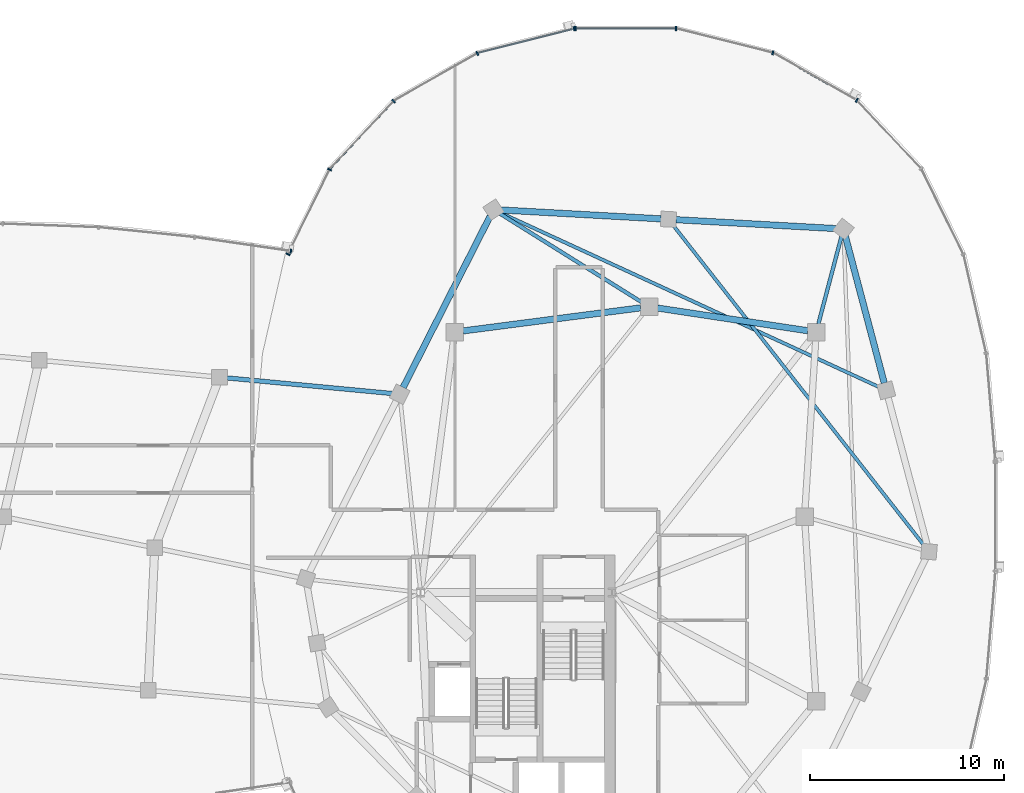
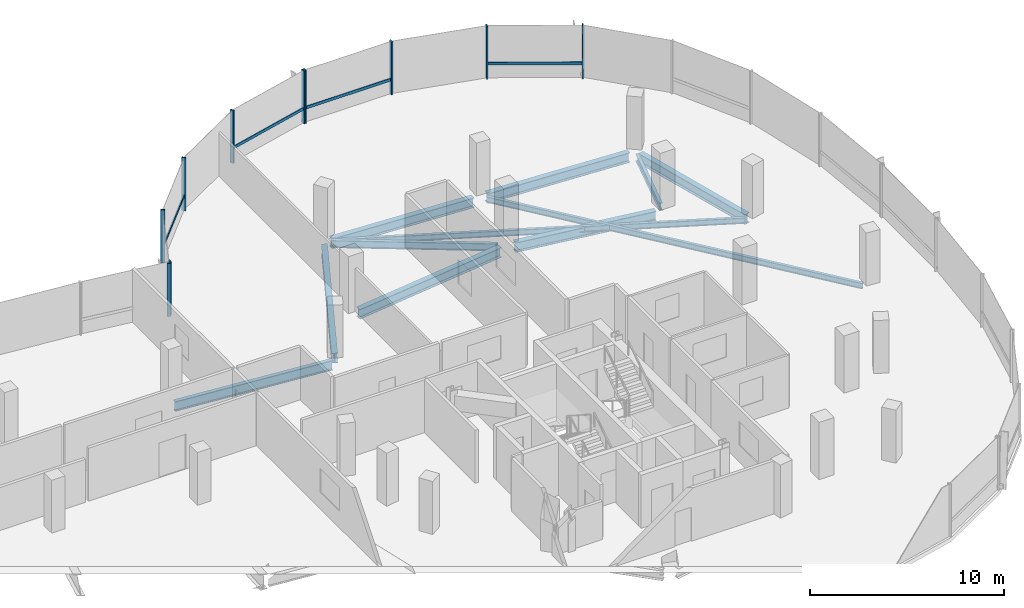
# One storey, part 10 of 25: 14 members, 11 beams, 3 elements without a shape of their own.
"""IFC4 building model written with IfcOpenShell, lengths in metres."""

from ifc_helpers import new_model, si_unit, direction, frame, origin, origin_2d, place, context, subcontext, project, spatial, rectangle, i_section, extrude, material, material_profile, profile_set, type_object, element, aggregate, save


model = new_model("IFC4")

# Units and contexts
model_context = context("Model", 3, precision=1e-05, world=origin(), true_north=direction((0.0, 1.0)))
body_context = subcontext(model_context, "Body", "Model", "MODEL_VIEW")
ifc_project = project(units=[si_unit("LENGTHUNIT", "METRE"), si_unit("AREAUNIT", "SQUARE_METRE"), si_unit("VOLUMEUNIT", "CUBIC_METRE"), si_unit("PLANEANGLEUNIT", "RADIAN"), si_unit("MASSUNIT", "GRAM", prefix="KILO"), si_unit("THERMODYNAMICTEMPERATUREUNIT", "KELVIN"), si_unit("POWERUNIT", "WATT")], contexts=[model_context])

# Site, building, storey
site_placement = place(None, origin())
site = spatial("IfcSite", under=ifc_project, at=site_placement, CompositionType="ELEMENT")
building_placement = place(site_placement, origin())
building = spatial("IfcBuilding", under=site, at=building_placement, Name="Cundina Bronze Exchange", CompositionType="ELEMENT")
storey_placement = place(building_placement, frame((0.0, 0.0, 272.0)))
storey = spatial("IfcBuildingStorey", under=building, at=storey_placement, Name="L72", CompositionType="ELEMENT", Elevation=272.0)

# Beams
ifc_material_1 = material(Name="Steel ASTM A992 Grade 50", Category="steel")
ifc_material_profile_1 = material_profile(ifc_material_1, i_section(OverallWidth=0.19091796875, OverallDepth=0.4599609375, WebThickness=0.010009765625, FlangeThickness=0.01611328125, FilletRadius=0.011962890625, at=origin_2d()), Name="W18X55", Category="steel")
ifc_profile_set_1 = profile_set([ifc_material_profile_1], Name="Steel ASTM A992 Grade 50")
beam_type_1 = type_object("IfcBeamType", Name="BM-FLR-W18B", PredefinedType="BEAM", material=ifc_profile_set_1)
beam_1_placement = place(storey_placement, frame((41.911865234375, 9.923583984375, -0.489990234375), z_axis=(0.255383723615, 0.96683977665, 0.0), x_axis=(-0.96683977665, 0.255383723615, 0.0)))
element("IfcBeam", 1, at=beam_1_placement, inside=storey, type_object=beam_type_1, Name="L72 Leg E Chordal Floor Beam 10", PredefinedType="BEAM", context=body_context, shape_type="SweptSolid", body=[
    extrude(i_section(OverallWidth=0.19091796875, OverallDepth=0.4599609375, WebThickness=0.010009765625, FlangeThickness=0.01611328125, FilletRadius=0.011962890625, at=origin_2d()), origin(), (0.0, 0.0, 1.0), 4.655517578125),
])
beam_2_placement = place(storey_placement, frame((32.82861328125, 11.031982421875, -0.489990234375), z_axis=(-0.847983963552, 0.530021884038, 0.0), x_axis=(-0.530021884038, -0.847983963552, 0.0)))
element("IfcBeam", 2, at=beam_2_placement, inside=storey, type_object=beam_type_1, Name="L72 Leg E Chordal Floor Beam 12", PredefinedType="BEAM", context=body_context, shape_type="SweptSolid", body=[
    extrude(i_section(OverallWidth=0.19091796875, OverallDepth=0.4599609375, WebThickness=0.010009765625, FlangeThickness=0.01611328125, FilletRadius=0.011962890625, at=origin_2d()), origin(), (0.0, 0.0, 1.0), 8.608154296875),
])
ifc_material_profile_2 = material_profile(ifc_material_1, i_section(OverallWidth=0.22998046875, OverallDepth=0.616943359375, WebThickness=0.01318359375, FlangeThickness=0.022216796875, FilletRadius=0.013916015625, at=origin_2d()), Name="W24X94", Category="steel")
ifc_profile_set_2 = profile_set([ifc_material_profile_2], Name="Steel ASTM A992 Grade 50")
beam_type_2 = type_object("IfcBeamType", Name="BM-FLR-W24B", PredefinedType="BEAM", material=ifc_profile_set_2)
beam_3_placement = place(storey_placement, frame((11.285400390625, 7.158203125, -0.62841796875), z_axis=(0.995572136276, -0.094000646124, 0.0), x_axis=(0.094000646124, 0.995572136276, 0.0)))
element("IfcBeam", 3, at=beam_3_placement, inside=storey, type_object=beam_type_2, Name="L72 Sky-Gate Longitudinal Girder Y3-P4", PredefinedType="BEAM", context=body_context, shape_type="SweptSolid", body=[
    extrude(i_section(OverallWidth=0.22998046875, OverallDepth=0.616943359375, WebThickness=0.01318359375, FlangeThickness=0.022216796875, FilletRadius=0.013916015625, at=origin_2d()), origin(), (0.0, 0.0, 1.0), 8.949951171875),
])
ifc_material_profile_3 = material_profile(ifc_material_1, i_section(OverallWidth=0.172119140625, OverallDepth=0.35791015625, WebThickness=0.0078125, FlangeThickness=0.01318359375, FilletRadius=0.010009765625, at=origin_2d()), Name="W14X38", Category="steel")
ifc_profile_set_3 = profile_set([ifc_material_profile_3], Name="Steel ASTM A992 Grade 50")
beam_type_3 = type_object("IfcBeamType", Name="BM-JST-W14", PredefinedType="JOIST", material=ifc_profile_set_3)
beam_4_placement = place(storey_placement, frame((47.360595703125, -1.49462890625, -0.43896484375), z_axis=(-0.616804005008, 0.78711677622, 0.0), x_axis=(-0.78711677622, -0.616804005008, 0.0)))
element("IfcBeam", 4, at=beam_4_placement, inside=storey, type_object=beam_type_3, Name="L72 Leg E Lobe Floor Joist 08-11", PredefinedType="JOIST", context=body_context, shape_type="SweptSolid", body=[
    extrude(i_section(OverallWidth=0.172119140625, OverallDepth=0.35791015625, WebThickness=0.0078125, FlangeThickness=0.01318359375, FilletRadius=0.010009765625, at=origin_2d()), origin(), (0.0, 0.0, 1.0), 20.948974609375),
])
beam_5_placement = place(storey_placement, frame((45.047607421875, 6.662353515625, -0.43896484375), z_axis=(-0.908356175703, 0.418197391266, 0.0), x_axis=(-0.418197391266, -0.908356175703, 0.0)))
element("IfcBeam", 5, at=beam_5_placement, inside=storey, type_object=beam_type_3, Name="L72 Leg E Lobe Floor Joist 09-12", PredefinedType="JOIST", context=body_context, shape_type="SweptSolid", body=[
    extrude(i_section(OverallWidth=0.172119140625, OverallDepth=0.35791015625, WebThickness=0.0078125, FlangeThickness=0.01318359375, FilletRadius=0.010009765625, at=origin_2d()), origin(), (0.0, 0.0, 1.0), 21.4619140625),
])
ifc_material_profile_4 = material_profile(ifc_material_1, i_section(OverallWidth=0.324951171875, OverallDepth=0.615966796875, WebThickness=0.013916015625, FlangeThickness=0.021484375, FilletRadius=0.01611328125, at=origin_2d()), Name="W24X117", Category="steel")
ifc_profile_set_4 = profile_set([ifc_material_profile_4], Name="Steel ASTM A992 Grade 50")
beam_type_4 = type_object("IfcBeamType", Name="BM-RING-W24", PredefinedType="USERDEFINED", material=ifc_profile_set_4)
beam_6_placement = place(storey_placement, frame((41.366943359375, 9.5654296875, -0.568115234375), z_axis=(-0.988764903598, 0.149478979839, 0.0), x_axis=(-0.149478979839, -0.988764903598, 0.0)))
element("IfcBeam", 6, at=beam_6_placement, inside=storey, type_object=beam_type_4, Name="L72 E Inner Structural Ring Girder 05", ObjectType="GIRDER", PredefinedType="USERDEFINED", context=body_context, shape_type="SweptSolid", body=[
    extrude(i_section(OverallWidth=0.324951171875, OverallDepth=0.615966796875, WebThickness=0.013916015625, FlangeThickness=0.021484375, FilletRadius=0.01611328125, at=origin_2d()), origin(), (0.0, 0.0, 1.0), 7.82177734375),
])
beam_7_placement = place(storey_placement, frame((32.765625, 10.743408203125, -0.568115234375), z_axis=(-0.991656498582, -0.128908451316, 0.0), x_axis=(0.128908451316, -0.991656498582, 0.0)))
element("IfcBeam", 7, at=beam_7_placement, inside=storey, type_object=beam_type_4, Name="L72 E Inner Structural Ring Girder 06", ObjectType="GIRDER", PredefinedType="USERDEFINED", context=body_context, shape_type="SweptSolid", body=[
    extrude(i_section(OverallWidth=0.324951171875, OverallDepth=0.615966796875, WebThickness=0.013916015625, FlangeThickness=0.021484375, FilletRadius=0.01611328125, at=origin_2d()), origin(), (0.0, 0.0, 1.0), 9.208251953125),
])
beam_8_placement = place(storey_placement, frame((45.300537109375, 6.875, -0.568115234375), z_axis=(-0.256212999207, 0.966620348967, 0.0), x_axis=(-0.966620348967, -0.256212999207, 0.0)))
element("IfcBeam", 8, at=beam_8_placement, inside=storey, type_object=beam_type_4, Name="L72 E Perimeter Ring Girder 09", ObjectType="GIRDER", PredefinedType="USERDEFINED", context=body_context, shape_type="SweptSolid", body=[
    extrude(i_section(OverallWidth=0.324951171875, OverallDepth=0.615966796875, WebThickness=0.013916015625, FlangeThickness=0.021484375, FilletRadius=0.01611328125, at=origin_2d()), origin(), (0.0, 0.0, 1.0), 7.810791015625),
])
for number, where, z_axis, x_axis, name in (
    (9, (42.8125, 14.821533203125, -0.568115234375), (-0.998459806018, 0.055479868117, 0.0), (-0.055479868117, -0.998459806018, 0.0), "L72 E Perimeter Ring Girder 10"),
    (10, (33.8125, 15.321533203125, -0.568115234375), (-0.998459806018, 0.055479868117, 0.0), (-0.055479868117, -0.998459806018, 0.0), "L72 E Perimeter Ring Girder 11"),
):
    element("IfcBeam", number, at=place(storey_placement, frame(where, z_axis=z_axis, x_axis=x_axis)), inside=storey, type_object=beam_type_4, Name=name, ObjectType="GIRDER", PredefinedType="USERDEFINED", context=body_context, shape_type="SweptSolid", body=[
        extrude(i_section(OverallWidth=0.324951171875, OverallDepth=0.615966796875, WebThickness=0.013916015625, FlangeThickness=0.021484375, FilletRadius=0.01611328125, at=origin_2d()), origin(), (0.0, 0.0, 1.0), 8.23779296875),
    ])
beam_9_placement = place(storey_placement, frame((25.0244140625, 15.4541015625, -0.568115234375), z_axis=(-0.452839263805, -0.891592171991, 0.0), x_axis=(0.891592171991, -0.452839263805, 0.0)))
element("IfcBeam", 11, at=beam_9_placement, inside=storey, type_object=beam_type_4, Name="L72 E Perimeter Ring Girder 12", ObjectType="GIRDER", PredefinedType="USERDEFINED", context=body_context, shape_type="SweptSolid", body=[
    extrude(i_section(OverallWidth=0.324951171875, OverallDepth=0.615966796875, WebThickness=0.013916015625, FlangeThickness=0.021484375, FilletRadius=0.01611328125, at=origin_2d()), origin(), (0.0, 0.0, 1.0), 9.879150390625),
])

# Curtain wall, members
ifc_material_2 = material(Name="Anodised Bronze Aluminium 6063-T6", Category="aluminium")
curtain_wall_type = type_object("IfcCurtainWallType", Name="CWS-SKG-BRG", PredefinedType="NOTDEFINED", material=ifc_material_2)
curtain_wall_1_placement = place(storey_placement, origin())
curtain_wall_1 = element("IfcCurtainWall", 12, at=curtain_wall_1_placement, inside=storey, type_object=curtain_wall_type, Name="L72 CW-06 Curtain Wall Run CWR-L72-E1", PredefinedType="NOTDEFINED")
ifc_material_profile_5 = material_profile(ifc_material_2, rectangle(XDim=0.074951171875, YDim=0.219970703125, at=origin_2d()), Name="AL75X220", Category="aluminium")
ifc_profile_set_5 = profile_set([ifc_material_profile_5], Name="Anodised Bronze Aluminium 6063-T6")
member_type_1 = type_object("IfcMemberType", Name="CWM-MUL-220", PredefinedType="MULLION", material=ifc_profile_set_5)
member_1_placement = place(storey_placement, frame((43.88916015625, 21.419921875, 0.0), z_axis=(0.0, 0.0, 1.0), x_axis=(-0.86958112538, 0.493790103568, 0.0)))
member_1 = element("IfcMember", 13, at=member_1_placement, type_object=member_type_1, Name="CW-06 Mullion 5", PredefinedType="MULLION", context=body_context, shape_type="SweptSolid", body=[
    extrude(rectangle(XDim=0.074951171875, YDim=0.219970703125, at=origin_2d()), origin(), (0.0, 0.0, 1.0), 3.340087890625),
])
member_2_placement = place(storey_placement, frame((39.5703125, 23.86181640625, 0.0), z_axis=(0.0, 0.0, 1.0), x_axis=(-0.969744325821, 0.244122802168, 0.0)))
member_2 = element("IfcMember", 14, at=member_2_placement, type_object=member_type_1, Name="CW-06 Mullion 6", PredefinedType="MULLION", context=body_context, shape_type="SweptSolid", body=[
    extrude(rectangle(XDim=0.074951171875, YDim=0.219970703125, at=origin_2d()), origin(), (0.0, 0.0, 1.0), 3.340087890625),
])
member_3_placement = place(storey_placement, frame((34.576416015625, 25.110107421875, 0.0), z_axis=(0.0, 0.0, 1.0), x_axis=(-1.0, 0.0, 0.0)))
member_3 = element("IfcMember", 15, at=member_3_placement, type_object=member_type_1, Name="CW-06 Mullion 7", PredefinedType="MULLION", context=body_context, shape_type="SweptSolid", body=[
    extrude(rectangle(XDim=0.074951171875, YDim=0.219970703125, at=origin_2d()), origin(), (0.0, 0.0, 1.0), 3.340087890625),
])
member_4_placement = place(storey_placement, frame((29.423583984375, 25.110107421875, 0.0), z_axis=(0.0, 0.0, 1.0), x_axis=(-1.0, 0.0, 0.0)))
member_4 = element("IfcMember", 16, at=member_4_placement, type_object=member_type_1, Name="CW-06 End Mullion", PredefinedType="MULLION", context=body_context, shape_type="SweptSolid", body=[
    extrude(rectangle(XDim=0.074951171875, YDim=0.219970703125, at=origin_2d()), origin(), (0.0, 0.0, 1.0), 3.340087890625),
])

curtain_wall_2_placement = place(storey_placement, origin())
curtain_wall_2 = element("IfcCurtainWall", 17, at=curtain_wall_2_placement, inside=storey, type_object=curtain_wall_type, Name="L72 CW-06 Curtain Wall Run CWR-L72-E2", PredefinedType="NOTDEFINED")
member_5_placement = place(storey_placement, frame((29.351806640625, 25.10107421875, 0.0), z_axis=(0.0, 0.0, 1.0), x_axis=(-0.969744325821, -0.244122802168, 0.0)))
member_5 = element("IfcMember", 18, at=member_5_placement, type_object=member_type_1, Name="CW-06 Mullion 1", PredefinedType="MULLION", context=body_context, shape_type="SweptSolid", body=[
    extrude(rectangle(XDim=0.074951171875, YDim=0.219970703125, at=origin_2d()), origin(), (0.0, 0.0, 1.0), 3.340087890625),
])
member_6_placement = place(storey_placement, frame((24.365478515625, 23.8359375, 0.0), z_axis=(0.0, 0.0, 1.0), x_axis=(-0.86958112538, -0.493790103568, 0.0)))
member_6 = element("IfcMember", 19, at=member_6_placement, type_object=member_type_1, Name="CW-06 Mullion 2", PredefinedType="MULLION", context=body_context, shape_type="SweptSolid", body=[
    extrude(rectangle(XDim=0.074951171875, YDim=0.219970703125, at=origin_2d()), origin(), (0.0, 0.0, 1.0), 3.340087890625),
])
member_7_placement = place(storey_placement, frame((20.059814453125, 21.3798828125, 0.0), z_axis=(0.0, 0.0, 1.0), x_axis=(-0.684292606175, -0.729207535023, 0.0)))
member_7 = element("IfcMember", 20, at=member_7_placement, type_object=member_type_1, Name="CW-06 Mullion 3", PredefinedType="MULLION", context=body_context, shape_type="SweptSolid", body=[
    extrude(rectangle(XDim=0.074951171875, YDim=0.219970703125, at=origin_2d()), origin(), (0.0, 0.0, 1.0), 3.340087890625),
])
member_8_placement = place(storey_placement, frame((16.7666015625, 17.856689453125, 0.0), z_axis=(0.0, 0.0, 1.0), x_axis=(-0.440566004113, -0.897720221461, 0.0)))
member_8 = element("IfcMember", 21, at=member_8_placement, type_object=member_type_1, Name="CW-06 Mullion 4", PredefinedType="MULLION", context=body_context, shape_type="SweptSolid", body=[
    extrude(rectangle(XDim=0.074951171875, YDim=0.219970703125, at=origin_2d()), origin(), (0.0, 0.0, 1.0), 3.340087890625),
])
member_9_placement = place(storey_placement, frame((14.630859375, 13.50390625, 0.0), z_axis=(0.0, 0.0, 1.0), x_axis=(-0.440566004113, -0.897720221461, 0.0)))
member_9 = element("IfcMember", 22, at=member_9_placement, type_object=member_type_1, Name="CW-06 End Mullion", PredefinedType="MULLION", context=body_context, shape_type="SweptSolid", body=[
    extrude(rectangle(XDim=0.074951171875, YDim=0.219970703125, at=origin_2d()), origin(), (0.0, 0.0, 1.0), 3.340087890625),
])

# Curtain wall, member
curtain_wall_3_placement = place(storey_placement, origin())
curtain_wall_3 = element("IfcCurtainWall", 23, at=curtain_wall_3_placement, inside=storey, type_object=curtain_wall_type, Name="L72 CW-06 Curtain Wall Run CWR-L72-BRGN", PredefinedType="NOTDEFINED")
member_10_placement = place(storey_placement, frame((14.779296875, 13.658935546875, 0.0), z_axis=(0.0, 0.0, 1.0), x_axis=(-0.989525789069, 0.144356201001, 0.0)))
member_10 = element("IfcMember", 24, at=member_10_placement, type_object=member_type_1, Name="CW-06 Mullion 1", PredefinedType="MULLION", context=body_context, shape_type="SweptSolid", body=[
    extrude(rectangle(XDim=0.074951171875, YDim=0.219970703125, at=origin_2d()), origin(), (0.0, 0.0, 1.0), 3.330078125),
])
aggregate(curtain_wall_3, [member_10])

# Member
ifc_material_profile_6 = material_profile(ifc_material_2, rectangle(XDim=0.070068359375, YDim=0.179931640625, at=origin_2d()), Name="AL70X180", Category="aluminium")
ifc_profile_set_6 = profile_set([ifc_material_profile_6], Name="Anodised Bronze Aluminium 6063-T6")
member_type_2 = type_object("IfcMemberType", Name="CWM-TRN-180", PredefinedType="USERDEFINED", material=ifc_profile_set_6)
member_11_placement = place(storey_placement, frame((43.853271484375, 21.440185546875, 0.919921875), z_axis=(-0.869557366176, 0.493831941989, 0.0), x_axis=(-0.493831941989, -0.869557366176, 0.0)))
member_11 = element("IfcMember", 25, at=member_11_placement, type_object=member_type_2, Name="CW-06 Spandrel Transom 5", ObjectType="TRANSOM", PredefinedType="USERDEFINED", context=body_context, shape_type="SweptSolid", body=[
    extrude(rectangle(XDim=0.070068359375, YDim=0.179931640625, at=origin_2d()), origin(), (0.0, 0.0, 1.0), 4.892822265625),
])

member_12_placement = place(storey_placement, frame((34.53515625, 25.110107421875, 0.919921875), z_axis=(-1.0, 0.0, 0.0), x_axis=(0.0, -1.0, 0.0)))
member_12 = element("IfcMember", 26, at=member_12_placement, type_object=member_type_2, Name="CW-06 Spandrel Transom 7", ObjectType="TRANSOM", PredefinedType="USERDEFINED", context=body_context, shape_type="SweptSolid", body=[
    extrude(rectangle(XDim=0.070068359375, YDim=0.179931640625, at=origin_2d()), origin(), (0.0, 0.0, 1.0), 5.070556640625),
])

aggregate(curtain_wall_1, [member_1, member_11, member_2, member_3, member_4, member_12])

member_13_placement = place(storey_placement, frame((29.311767578125, 25.091064453125, 0.919921875), z_axis=(-0.969736547481, -0.244153698478, 0.0), x_axis=(0.244153698478, -0.969736547481, 0.0)))
member_13 = element("IfcMember", 27, at=member_13_placement, type_object=member_type_2, Name="CW-06 Spandrel Transom 1", ObjectType="TRANSOM", PredefinedType="USERDEFINED", context=body_context, shape_type="SweptSolid", body=[
    extrude(rectangle(XDim=0.070068359375, YDim=0.179931640625, at=origin_2d()), origin(), (0.0, 0.0, 1.0), 5.07568359375),
])

member_14_placement = place(storey_placement, frame((20.031494140625, 21.349609375, 0.919921875), z_axis=(-0.684328474899, -0.729173873944, 0.0), x_axis=(0.729173873944, -0.684328474899, 0.0)))
member_14 = element("IfcMember", 28, at=member_14_placement, type_object=member_type_2, Name="CW-06 Spandrel Transom 3", ObjectType="TRANSOM", PredefinedType="USERDEFINED", context=body_context, shape_type="SweptSolid", body=[
    extrude(rectangle(XDim=0.070068359375, YDim=0.179931640625, at=origin_2d()), origin(), (0.0, 0.0, 1.0), 4.758056640625),
])

aggregate(curtain_wall_2, [member_5, member_13, member_6, member_7, member_14, member_8, member_9])

save(model, "model.ifc")
